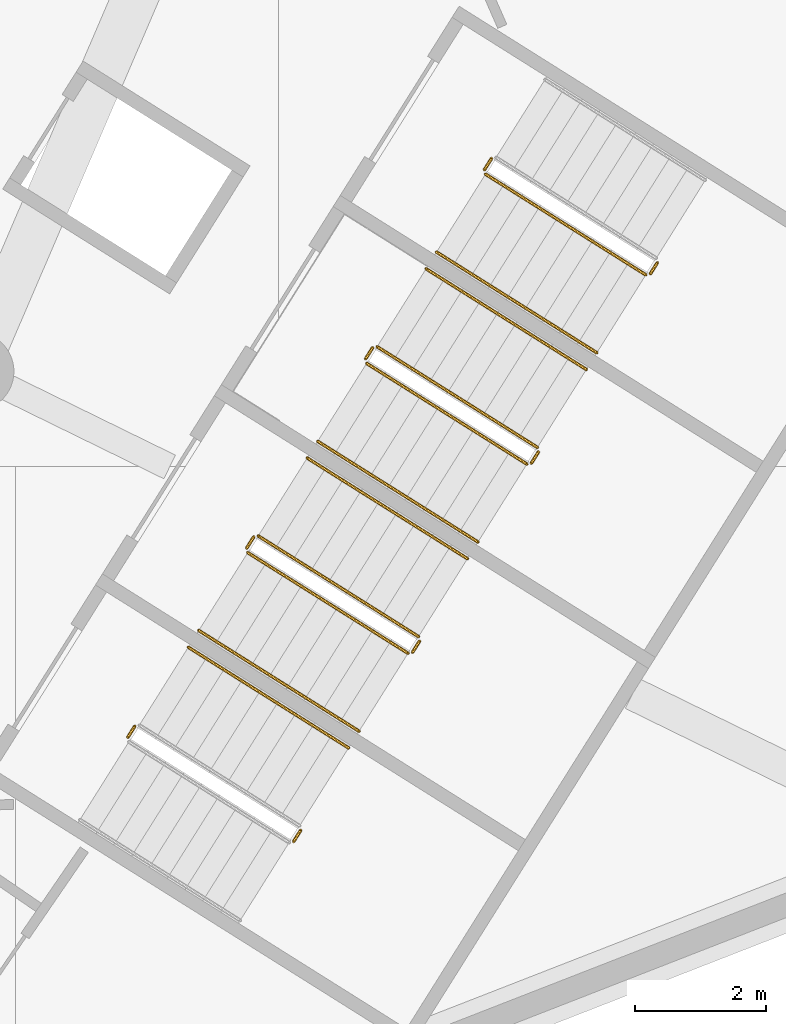
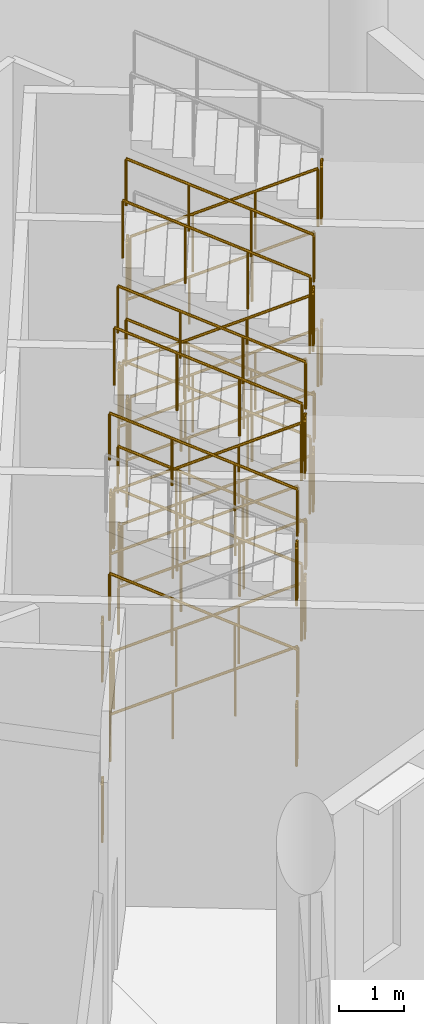
# One storey, part 222 of 249: 38 railings.
"""IFC4 building model written with IfcOpenShell, lengths in metres."""

from ifc_helpers import new_model, si_unit, direction, frame, origin, origin_2d, place, context, subcontext, project, spatial, circle, extrude, material, type_object, element, save


model = new_model("IFC4")

# Units and contexts
model_context = context("Model", 3, precision=1e-05, world=origin(), true_north=direction((0.0, 1.0)))
body_context = subcontext(model_context, "Body", "Model", "MODEL_VIEW")
ifc_project = project(units=[si_unit("LENGTHUNIT", "METRE"), si_unit("AREAUNIT", "SQUARE_METRE"), si_unit("VOLUMEUNIT", "CUBIC_METRE"), si_unit("PLANEANGLEUNIT", "RADIAN"), si_unit("MASSUNIT", "GRAM", prefix="KILO")], contexts=[model_context])

# Site, building, storey
site_placement = place(None, origin())
site = spatial("IfcSite", under=ifc_project, at=site_placement, CompositionType="ELEMENT")
building_placement = place(site_placement, origin())
building = spatial("IfcBuilding", under=site, at=building_placement, Name="Meseta Stadium", CompositionType="ELEMENT")
storey_placement = place(building_placement, frame((0.0, 0.0, 12.0)))
storey = spatial("IfcBuildingStorey", under=building, at=storey_placement, Name="L02", CompositionType="ELEMENT", Elevation=12.0)

# Railings
ifc_material_1 = material(Name="Steel S355", Category="steel")
railing_type_1 = type_object("IfcRailingType", Name="Stair guard 1100", PredefinedType="GUARDRAIL", material=ifc_material_1)
railing_1_placement = place(storey_placement, frame((83.054931640625, -79.42431640625, 1.5)))
element("IfcRailing", 1, at=railing_1_placement, inside=storey, type_object=railing_type_1, Name="ST109 L02 guard 2", PredefinedType="GUARDRAIL", context=body_context, shape_type="SweptSolid", body=[
    extrude(circle(Radius=0.02392578125, at=origin_2d()), frame((0.0, 0.0, 1.076171875), z_axis=(0.532521690573, 0.846416356806, 0.0), x_axis=(-0.846416356806, 0.532521690573, 0.0)), (0.0, 0.0, 1.0), 0.199951171875),
    extrude(circle(Radius=0.02099609375, at=origin_2d()), origin(), (0.0, 0.0, 1.0), 1.052001953125),
    extrude(circle(Radius=0.02099609375, at=origin_2d()), frame((0.1064453125, 0.169189453125, 0.0)), (0.0, 0.0, 1.0), 1.052001953125),
])
railing_2_placement = place(storey_placement, frame((80.53173828125, -77.8388671875, 3.0)))
element("IfcRailing", 2, at=railing_2_placement, inside=storey, type_object=railing_type_1, Name="ST109 L02 guard 4", PredefinedType="GUARDRAIL", context=body_context, shape_type="SweptSolid", body=[
    extrude(circle(Radius=0.02392578125, at=origin_2d()), frame((0.0, 0.0, 1.076171875), z_axis=(0.531645814745, 0.846966780732, 0.0), x_axis=(-0.846966780732, 0.531645814745, 0.0)), (0.0, 0.0, 1.0), 0.19970703125),
    extrude(circle(Radius=0.02099609375, at=origin_2d()), origin(), (0.0, 0.0, 1.0), 1.052001953125),
    extrude(circle(Radius=0.02099609375, at=origin_2d()), frame((0.106201171875, 0.169189453125, 0.0)), (0.0, 0.0, 1.0), 1.052001953125),
])
railing_3_placement = place(storey_placement, frame((83.054931640625, -79.42431640625, 4.5)))
element("IfcRailing", 3, at=railing_3_placement, inside=storey, type_object=railing_type_1, Name="ST109 L02 guard 6", PredefinedType="GUARDRAIL", context=body_context, shape_type="SweptSolid", body=[
    extrude(circle(Radius=0.02392578125, at=origin_2d()), frame((0.0, 0.0, 1.076171875), z_axis=(0.532521690573, 0.846416356806, 0.0), x_axis=(-0.846416356806, 0.532521690573, 0.0)), (0.0, 0.0, 1.0), 0.199951171875),
    extrude(circle(Radius=0.02099609375, at=origin_2d()), origin(), (0.0, 0.0, 1.0), 1.052001953125),
    extrude(circle(Radius=0.02099609375, at=origin_2d()), frame((0.1064453125, 0.169189453125, 0.0)), (0.0, 0.0, 1.0), 1.052001953125),
])
railing_4_placement = place(storey_placement, frame((80.53173828125, -77.8388671875, 0.0)))
element("IfcRailing", 4, at=railing_4_placement, inside=storey, type_object=railing_type_1, Name="ST109 L02 guard 8", PredefinedType="GUARDRAIL", context=body_context, shape_type="SweptSolid", body=[
    extrude(circle(Radius=0.02392578125, at=origin_2d()), frame((0.0, 0.0, 1.076171875), z_axis=(0.531645814745, 0.846966780732, 0.0), x_axis=(-0.846966780732, 0.531645814745, 0.0)), (0.0, 0.0, 1.0), 0.19970703125),
    extrude(circle(Radius=0.02099609375, at=origin_2d()), origin(), (0.0, 0.0, 1.0), 1.052001953125),
    extrude(circle(Radius=0.02099609375, at=origin_2d()), frame((0.106201171875, 0.169189453125, 0.0)), (0.0, 0.0, 1.0), 1.052001953125),
])
railing_5_placement = place(storey_placement, frame((82.356201171875, -75.029052734375, 0.14990234375)))
element("IfcRailing", 5, at=railing_5_placement, inside=storey, type_object=railing_type_1, Name="ST110 L02 guard 1", PredefinedType="GUARDRAIL", context=body_context, shape_type="SweptSolid", body=[
    extrude(circle(Radius=0.02392578125, at=origin_2d()), frame((0.0, 0.0, 1.076171875), z_axis=(0.766687087345, -0.481702688975, 0.424444848635), x_axis=(0.532001404082, 0.84674347122, 0.0)), (0.0, 0.0, 1.0), 3.180908203125),
    extrude(circle(Radius=0.02099609375, at=origin_2d()), origin(), (0.0, 0.0, 1.0), 1.052001953125),
    extrude(circle(Radius=0.02099609375, at=origin_2d()), frame((0.81298828125, -0.5107421875, 0.449951171875)), (0.0, 0.0, 1.0), 1.052001953125),
    extrude(circle(Radius=0.02099609375, at=origin_2d()), frame((1.625732421875, -1.021484375, 0.900146484375)), (0.0, 0.0, 1.0), 1.052001953125),
    extrude(circle(Radius=0.02099609375, at=origin_2d()), frame((2.438720703125, -1.5322265625, 1.35009765625)), (0.0, 0.0, 1.0), 1.052001953125),
])
railing_6_placement = place(storey_placement, frame((84.86376953125, -76.545654296875, 1.5)))
element("IfcRailing", 6, at=railing_6_placement, inside=storey, type_object=railing_type_1, Name="ST110 L02 guard 2", PredefinedType="GUARDRAIL", context=body_context, shape_type="SweptSolid", body=[
    extrude(circle(Radius=0.02392578125, at=origin_2d()), frame((0.0, 0.0, 1.076171875), z_axis=(0.531971628011, 0.846762178531, 0.0), x_axis=(-0.846762178531, 0.531971628011, 0.0)), (0.0, 0.0, 1.0), 0.2001953125),
    extrude(circle(Radius=0.02099609375, at=origin_2d()), origin(), (0.0, 0.0, 1.0), 1.052001953125),
    extrude(circle(Radius=0.02099609375, at=origin_2d()), frame((0.1064453125, 0.16943359375, 0.0)), (0.0, 0.0, 1.0), 1.052001953125),
])
railing_7_placement = place(storey_placement, frame((84.954345703125, -76.307373046875, 1.64990234375)))
element("IfcRailing", 7, at=railing_7_placement, inside=storey, type_object=railing_type_1, Name="ST110 L02 guard 3", PredefinedType="GUARDRAIL", context=body_context, shape_type="SweptSolid", body=[
    extrude(circle(Radius=0.02392578125, at=origin_2d()), frame((0.0, 0.0, 1.076171875), z_axis=(-0.766655447606, 0.481731036161, 0.424469826318), x_axis=(-0.53203959143, -0.846719477248, 0.0)), (0.0, 0.0, 1.0), 3.1806640625),
    extrude(circle(Radius=0.02099609375, at=origin_2d()), origin(), (0.0, 0.0, 1.0), 1.052001953125),
    extrude(circle(Radius=0.02099609375, at=origin_2d()), frame((-0.812744140625, 0.5107421875, 0.449951171875)), (0.0, 0.0, 1.0), 1.052001953125),
    extrude(circle(Radius=0.02099609375, at=origin_2d()), frame((-1.625732421875, 1.021484375, 0.900146484375)), (0.0, 0.0, 1.0), 1.052001953125),
    extrude(circle(Radius=0.02099609375, at=origin_2d()), frame((-2.4384765625, 1.5322265625, 1.35009765625)), (0.0, 0.0, 1.0), 1.052001953125),
])
railing_8_placement = place(storey_placement, frame((82.340576171875, -74.960205078125, 3.0)))
element("IfcRailing", 8, at=railing_8_placement, inside=storey, type_object=railing_type_1, Name="ST110 L02 guard 4", PredefinedType="GUARDRAIL", context=body_context, shape_type="SweptSolid", body=[
    extrude(circle(Radius=0.02392578125, at=origin_2d()), frame((0.0, 0.0, 1.076171875), z_axis=(0.531971628011, 0.846762178531, 0.0), x_axis=(-0.846762178531, 0.531971628011, 0.0)), (0.0, 0.0, 1.0), 0.2001953125),
    extrude(circle(Radius=0.02099609375, at=origin_2d()), origin(), (0.0, 0.0, 1.0), 1.052001953125),
    extrude(circle(Radius=0.02099609375, at=origin_2d()), frame((0.1064453125, 0.16943359375, 0.0)), (0.0, 0.0, 1.0), 1.052001953125),
])
railing_9_placement = place(storey_placement, frame((82.356201171875, -75.029052734375, 3.14990234375)))
element("IfcRailing", 9, at=railing_9_placement, inside=storey, type_object=railing_type_1, Name="ST110 L02 guard 5", PredefinedType="GUARDRAIL", context=body_context, shape_type="SweptSolid", body=[
    extrude(circle(Radius=0.02392578125, at=origin_2d()), frame((0.0, 0.0, 1.076171875), z_axis=(0.766687087345, -0.481702688975, 0.424444848635), x_axis=(0.532001404082, 0.84674347122, 0.0)), (0.0, 0.0, 1.0), 3.180908203125),
    extrude(circle(Radius=0.02099609375, at=origin_2d()), origin(), (0.0, 0.0, 1.0), 1.052001953125),
    extrude(circle(Radius=0.02099609375, at=origin_2d()), frame((0.81298828125, -0.5107421875, 0.449951171875)), (0.0, 0.0, 1.0), 1.052001953125),
    extrude(circle(Radius=0.02099609375, at=origin_2d()), frame((1.625732421875, -1.021484375, 0.900146484375)), (0.0, 0.0, 1.0), 1.052001953125),
    extrude(circle(Radius=0.02099609375, at=origin_2d()), frame((2.438720703125, -1.5322265625, 1.35009765625)), (0.0, 0.0, 1.0), 1.052001953125),
])
railing_10_placement = place(storey_placement, frame((84.86376953125, -76.545654296875, 4.5)))
element("IfcRailing", 10, at=railing_10_placement, inside=storey, type_object=railing_type_1, Name="ST110 L02 guard 6", PredefinedType="GUARDRAIL", context=body_context, shape_type="SweptSolid", body=[
    extrude(circle(Radius=0.02392578125, at=origin_2d()), frame((0.0, 0.0, 1.076171875), z_axis=(0.531971628011, 0.846762178531, 0.0), x_axis=(-0.846762178531, 0.531971628011, 0.0)), (0.0, 0.0, 1.0), 0.2001953125),
    extrude(circle(Radius=0.02099609375, at=origin_2d()), origin(), (0.0, 0.0, 1.0), 1.052001953125),
    extrude(circle(Radius=0.02099609375, at=origin_2d()), frame((0.1064453125, 0.16943359375, 0.0)), (0.0, 0.0, 1.0), 1.052001953125),
])
railing_11_placement = place(storey_placement, frame((84.954345703125, -76.307373046875, 4.64990234375)))
element("IfcRailing", 11, at=railing_11_placement, inside=storey, type_object=railing_type_1, Name="ST110 L02 guard 7", PredefinedType="GUARDRAIL", context=body_context, shape_type="SweptSolid", body=[
    extrude(circle(Radius=0.02392578125, at=origin_2d()), frame((0.0, 0.0, 1.076171875), z_axis=(-0.766655447606, 0.481731036161, 0.424469826318), x_axis=(-0.53203959143, -0.846719477248, 0.0)), (0.0, 0.0, 1.0), 3.1806640625),
    extrude(circle(Radius=0.02099609375, at=origin_2d()), origin(), (0.0, 0.0, 1.0), 1.052001953125),
    extrude(circle(Radius=0.02099609375, at=origin_2d()), frame((-0.812744140625, 0.5107421875, 0.449951171875)), (0.0, 0.0, 1.0), 1.052001953125),
    extrude(circle(Radius=0.02099609375, at=origin_2d()), frame((-1.625732421875, 1.021484375, 0.900146484375)), (0.0, 0.0, 1.0), 1.052001953125),
    extrude(circle(Radius=0.02099609375, at=origin_2d()), frame((-2.4384765625, 1.5322265625, 1.35009765625)), (0.0, 0.0, 1.0), 1.052001953125),
])
railing_12_placement = place(storey_placement, frame((82.340576171875, -74.960205078125, 0.0)))
element("IfcRailing", 12, at=railing_12_placement, inside=storey, type_object=railing_type_1, Name="ST110 L02 guard 8", PredefinedType="GUARDRAIL", context=body_context, shape_type="SweptSolid", body=[
    extrude(circle(Radius=0.02392578125, at=origin_2d()), frame((0.0, 0.0, 1.076171875), z_axis=(0.531971628011, 0.846762178531, 0.0), x_axis=(-0.846762178531, 0.531971628011, 0.0)), (0.0, 0.0, 1.0), 0.2001953125),
    extrude(circle(Radius=0.02099609375, at=origin_2d()), origin(), (0.0, 0.0, 1.0), 1.052001953125),
    extrude(circle(Radius=0.02099609375, at=origin_2d()), frame((0.1064453125, 0.16943359375, 0.0)), (0.0, 0.0, 1.0), 1.052001953125),
])
railing_13_placement = place(storey_placement, frame((84.165283203125, -72.150146484375, 0.14990234375)))
element("IfcRailing", 13, at=railing_13_placement, inside=storey, type_object=railing_type_1, Name="ST111 L02 guard 1", PredefinedType="GUARDRAIL", context=body_context, shape_type="SweptSolid", body=[
    extrude(circle(Radius=0.02392578125, at=origin_2d()), frame((0.0, 0.0, 1.076171875), z_axis=(0.766655447606, -0.481731036161, 0.424469826318), x_axis=(0.53203959143, 0.846719477248, 0.0)), (0.0, 0.0, 1.0), 3.1806640625),
    extrude(circle(Radius=0.02099609375, at=origin_2d()), origin(), (0.0, 0.0, 1.0), 1.052001953125),
    extrude(circle(Radius=0.02099609375, at=origin_2d()), frame((0.812744140625, -0.5107421875, 0.449951171875)), (0.0, 0.0, 1.0), 1.052001953125),
    extrude(circle(Radius=0.02099609375, at=origin_2d()), frame((1.625732421875, -1.021484375, 0.900146484375)), (0.0, 0.0, 1.0), 1.052001953125),
    extrude(circle(Radius=0.02099609375, at=origin_2d()), frame((2.4384765625, -1.5322265625, 1.35009765625)), (0.0, 0.0, 1.0), 1.052001953125),
])
railing_14_placement = place(storey_placement, frame((86.672607421875, -73.666748046875, 1.5)))
element("IfcRailing", 14, at=railing_14_placement, inside=storey, type_object=railing_type_1, Name="ST111 L02 guard 2", PredefinedType="GUARDRAIL", context=body_context, shape_type="SweptSolid", body=[
    extrude(circle(Radius=0.02392578125, at=origin_2d()), frame((0.0, 0.0, 1.076171875), z_axis=(0.531971628011, 0.846762178531, 0.0), x_axis=(-0.846762178531, 0.531971628011, 0.0)), (0.0, 0.0, 1.0), 0.2001953125),
    extrude(circle(Radius=0.02099609375, at=origin_2d()), origin(), (0.0, 0.0, 1.0), 1.052001953125),
    extrude(circle(Radius=0.02099609375, at=origin_2d()), frame((0.1064453125, 0.16943359375, 0.0)), (0.0, 0.0, 1.0), 1.052001953125),
])
railing_15_placement = place(storey_placement, frame((86.763427734375, -73.428466796875, 1.64990234375)))
element("IfcRailing", 15, at=railing_15_placement, inside=storey, type_object=railing_type_1, Name="ST111 L02 guard 3", PredefinedType="GUARDRAIL", context=body_context, shape_type="SweptSolid", body=[
    extrude(circle(Radius=0.02392578125, at=origin_2d()), frame((0.0, 0.0, 1.076171875), z_axis=(-0.766687087345, 0.481702688975, 0.424444848635), x_axis=(-0.532001404082, -0.84674347122, 0.0)), (0.0, 0.0, 1.0), 3.180908203125),
    extrude(circle(Radius=0.02099609375, at=origin_2d()), origin(), (0.0, 0.0, 1.0), 1.052001953125),
    extrude(circle(Radius=0.02099609375, at=origin_2d()), frame((-0.81298828125, 0.5107421875, 0.449951171875)), (0.0, 0.0, 1.0), 1.052001953125),
    extrude(circle(Radius=0.02099609375, at=origin_2d()), frame((-1.625732421875, 1.021484375, 0.900146484375)), (0.0, 0.0, 1.0), 1.052001953125),
    extrude(circle(Radius=0.02099609375, at=origin_2d()), frame((-2.438720703125, 1.5322265625, 1.35009765625)), (0.0, 0.0, 1.0), 1.052001953125),
])
railing_16_placement = place(storey_placement, frame((84.1494140625, -72.081298828125, 3.0)))
element("IfcRailing", 16, at=railing_16_placement, inside=storey, type_object=railing_type_1, Name="ST111 L02 guard 4", PredefinedType="GUARDRAIL", context=body_context, shape_type="SweptSolid", body=[
    extrude(circle(Radius=0.02392578125, at=origin_2d()), frame((0.0, 0.0, 1.076171875), z_axis=(0.531971628011, 0.846762178531, 0.0), x_axis=(-0.846762178531, 0.531971628011, 0.0)), (0.0, 0.0, 1.0), 0.2001953125),
    extrude(circle(Radius=0.02099609375, at=origin_2d()), origin(), (0.0, 0.0, 1.0), 1.052001953125),
    extrude(circle(Radius=0.02099609375, at=origin_2d()), frame((0.1064453125, 0.16943359375, 0.0)), (0.0, 0.0, 1.0), 1.052001953125),
])
railing_17_placement = place(storey_placement, frame((84.165283203125, -72.150146484375, 3.14990234375)))
element("IfcRailing", 17, at=railing_17_placement, inside=storey, type_object=railing_type_1, Name="ST111 L02 guard 5", PredefinedType="GUARDRAIL", context=body_context, shape_type="SweptSolid", body=[
    extrude(circle(Radius=0.02392578125, at=origin_2d()), frame((0.0, 0.0, 1.076171875), z_axis=(0.766655447606, -0.481731036161, 0.424469826318), x_axis=(0.53203959143, 0.846719477248, 0.0)), (0.0, 0.0, 1.0), 3.1806640625),
    extrude(circle(Radius=0.02099609375, at=origin_2d()), origin(), (0.0, 0.0, 1.0), 1.052001953125),
    extrude(circle(Radius=0.02099609375, at=origin_2d()), frame((0.812744140625, -0.5107421875, 0.449951171875)), (0.0, 0.0, 1.0), 1.052001953125),
    extrude(circle(Radius=0.02099609375, at=origin_2d()), frame((1.625732421875, -1.021484375, 0.900146484375)), (0.0, 0.0, 1.0), 1.052001953125),
    extrude(circle(Radius=0.02099609375, at=origin_2d()), frame((2.4384765625, -1.5322265625, 1.35009765625)), (0.0, 0.0, 1.0), 1.052001953125),
])
railing_18_placement = place(storey_placement, frame((86.672607421875, -73.666748046875, 4.5)))
element("IfcRailing", 18, at=railing_18_placement, inside=storey, type_object=railing_type_1, Name="ST111 L02 guard 6", PredefinedType="GUARDRAIL", context=body_context, shape_type="SweptSolid", body=[
    extrude(circle(Radius=0.02392578125, at=origin_2d()), frame((0.0, 0.0, 1.076171875), z_axis=(0.531971628011, 0.846762178531, 0.0), x_axis=(-0.846762178531, 0.531971628011, 0.0)), (0.0, 0.0, 1.0), 0.2001953125),
    extrude(circle(Radius=0.02099609375, at=origin_2d()), origin(), (0.0, 0.0, 1.0), 1.052001953125),
    extrude(circle(Radius=0.02099609375, at=origin_2d()), frame((0.1064453125, 0.16943359375, 0.0)), (0.0, 0.0, 1.0), 1.052001953125),
])
railing_19_placement = place(storey_placement, frame((86.763427734375, -73.428466796875, 4.64990234375)))
element("IfcRailing", 19, at=railing_19_placement, inside=storey, type_object=railing_type_1, Name="ST111 L02 guard 7", PredefinedType="GUARDRAIL", context=body_context, shape_type="SweptSolid", body=[
    extrude(circle(Radius=0.02392578125, at=origin_2d()), frame((0.0, 0.0, 1.076171875), z_axis=(-0.766687087345, 0.481702688975, 0.424444848635), x_axis=(-0.532001404082, -0.84674347122, 0.0)), (0.0, 0.0, 1.0), 3.180908203125),
    extrude(circle(Radius=0.02099609375, at=origin_2d()), origin(), (0.0, 0.0, 1.0), 1.052001953125),
    extrude(circle(Radius=0.02099609375, at=origin_2d()), frame((-0.81298828125, 0.5107421875, 0.449951171875)), (0.0, 0.0, 1.0), 1.052001953125),
    extrude(circle(Radius=0.02099609375, at=origin_2d()), frame((-1.625732421875, 1.021484375, 0.900146484375)), (0.0, 0.0, 1.0), 1.052001953125),
    extrude(circle(Radius=0.02099609375, at=origin_2d()), frame((-2.438720703125, 1.5322265625, 1.35009765625)), (0.0, 0.0, 1.0), 1.052001953125),
])
railing_20_placement = place(storey_placement, frame((84.1494140625, -72.081298828125, 0.0)))
element("IfcRailing", 20, at=railing_20_placement, inside=storey, type_object=railing_type_1, Name="ST111 L02 guard 8", PredefinedType="GUARDRAIL", context=body_context, shape_type="SweptSolid", body=[
    extrude(circle(Radius=0.02392578125, at=origin_2d()), frame((0.0, 0.0, 1.076171875), z_axis=(0.531971628011, 0.846762178531, 0.0), x_axis=(-0.846762178531, 0.531971628011, 0.0)), (0.0, 0.0, 1.0), 0.2001953125),
    extrude(circle(Radius=0.02099609375, at=origin_2d()), origin(), (0.0, 0.0, 1.0), 1.052001953125),
    extrude(circle(Radius=0.02099609375, at=origin_2d()), frame((0.1064453125, 0.16943359375, 0.0)), (0.0, 0.0, 1.0), 1.052001953125),
])
railing_21_placement = place(storey_placement, frame((85.97412109375, -69.271240234375, 0.14990234375)))
element("IfcRailing", 21, at=railing_21_placement, inside=storey, type_object=railing_type_1, Name="ST112 L02 guard 1", PredefinedType="GUARDRAIL", context=body_context, shape_type="SweptSolid", body=[
    extrude(circle(Radius=0.02392578125, at=origin_2d()), frame((0.0, 0.0, 1.076171875), z_axis=(0.766655447606, -0.481731036161, 0.424469826318), x_axis=(0.53203959143, 0.846719477248, 0.0)), (0.0, 0.0, 1.0), 3.1806640625),
    extrude(circle(Radius=0.02099609375, at=origin_2d()), origin(), (0.0, 0.0, 1.0), 1.052001953125),
    extrude(circle(Radius=0.02099609375, at=origin_2d()), frame((0.812744140625, -0.5107421875, 0.449951171875)), (0.0, 0.0, 1.0), 1.052001953125),
    extrude(circle(Radius=0.02099609375, at=origin_2d()), frame((1.625732421875, -1.021484375, 0.900146484375)), (0.0, 0.0, 1.0), 1.052001953125),
    extrude(circle(Radius=0.02099609375, at=origin_2d()), frame((2.4384765625, -1.5322265625, 1.35009765625)), (0.0, 0.0, 1.0), 1.052001953125),
])
railing_22_placement = place(storey_placement, frame((88.481689453125, -70.787841796875, 1.5)))
element("IfcRailing", 22, at=railing_22_placement, inside=storey, type_object=railing_type_1, Name="ST112 L02 guard 2", PredefinedType="GUARDRAIL", context=body_context, shape_type="SweptSolid", body=[
    extrude(circle(Radius=0.02392578125, at=origin_2d()), frame((0.0, 0.0, 1.076171875), z_axis=(0.531095943551, 0.847311689252, 0.0), x_axis=(-0.847311689252, 0.531095943551, 0.0)), (0.0, 0.0, 1.0), 0.199951171875),
    extrude(circle(Radius=0.02099609375, at=origin_2d()), origin(), (0.0, 0.0, 1.0), 1.052001953125),
    extrude(circle(Radius=0.02099609375, at=origin_2d()), frame((0.106201171875, 0.16943359375, 0.0)), (0.0, 0.0, 1.0), 1.052001953125),
])
railing_23_placement = place(storey_placement, frame((85.958251953125, -69.202392578125, 3.0)))
element("IfcRailing", 23, at=railing_23_placement, inside=storey, type_object=railing_type_1, Name="ST112 L02 guard 4", PredefinedType="GUARDRAIL", context=body_context, shape_type="SweptSolid", body=[
    extrude(circle(Radius=0.02392578125, at=origin_2d()), frame((0.0, 0.0, 1.076171875), z_axis=(0.531971628011, 0.846762178531, 0.0), x_axis=(-0.846762178531, 0.531971628011, 0.0)), (0.0, 0.0, 1.0), 0.2001953125),
    extrude(circle(Radius=0.02099609375, at=origin_2d()), origin(), (0.0, 0.0, 1.0), 1.052001953125),
    extrude(circle(Radius=0.02099609375, at=origin_2d()), frame((0.1064453125, 0.16943359375, 0.0)), (0.0, 0.0, 1.0), 1.052001953125),
])
railing_24_placement = place(storey_placement, frame((85.97412109375, -69.271240234375, 3.14990234375)))
element("IfcRailing", 24, at=railing_24_placement, inside=storey, type_object=railing_type_1, Name="ST112 L02 guard 5", PredefinedType="GUARDRAIL", context=body_context, shape_type="SweptSolid", body=[
    extrude(circle(Radius=0.02392578125, at=origin_2d()), frame((0.0, 0.0, 1.076171875), z_axis=(0.766655447606, -0.481731036161, 0.424469826318), x_axis=(0.53203959143, 0.846719477248, 0.0)), (0.0, 0.0, 1.0), 3.1806640625),
    extrude(circle(Radius=0.02099609375, at=origin_2d()), origin(), (0.0, 0.0, 1.0), 1.052001953125),
    extrude(circle(Radius=0.02099609375, at=origin_2d()), frame((0.812744140625, -0.5107421875, 0.449951171875)), (0.0, 0.0, 1.0), 1.052001953125),
    extrude(circle(Radius=0.02099609375, at=origin_2d()), frame((1.625732421875, -1.021484375, 0.900146484375)), (0.0, 0.0, 1.0), 1.052001953125),
    extrude(circle(Radius=0.02099609375, at=origin_2d()), frame((2.4384765625, -1.5322265625, 1.35009765625)), (0.0, 0.0, 1.0), 1.052001953125),
])
railing_25_placement = place(storey_placement, frame((88.481689453125, -70.787841796875, 4.5)))
element("IfcRailing", 25, at=railing_25_placement, inside=storey, type_object=railing_type_1, Name="ST112 L02 guard 6", PredefinedType="GUARDRAIL", context=body_context, shape_type="SweptSolid", body=[
    extrude(circle(Radius=0.02392578125, at=origin_2d()), frame((0.0, 0.0, 1.076171875), z_axis=(0.531095943551, 0.847311689252, 0.0), x_axis=(-0.847311689252, 0.531095943551, 0.0)), (0.0, 0.0, 1.0), 0.199951171875),
    extrude(circle(Radius=0.02099609375, at=origin_2d()), origin(), (0.0, 0.0, 1.0), 1.052001953125),
    extrude(circle(Radius=0.02099609375, at=origin_2d()), frame((0.106201171875, 0.16943359375, 0.0)), (0.0, 0.0, 1.0), 1.052001953125),
])
railing_26_placement = place(storey_placement, frame((85.958251953125, -69.202392578125, 0.0)))
element("IfcRailing", 26, at=railing_26_placement, inside=storey, type_object=railing_type_1, Name="ST112 L02 guard 8", PredefinedType="GUARDRAIL", context=body_context, shape_type="SweptSolid", body=[
    extrude(circle(Radius=0.02392578125, at=origin_2d()), frame((0.0, 0.0, 1.076171875), z_axis=(0.531971628011, 0.846762178531, 0.0), x_axis=(-0.846762178531, 0.531971628011, 0.0)), (0.0, 0.0, 1.0), 0.2001953125),
    extrude(circle(Radius=0.02099609375, at=origin_2d()), origin(), (0.0, 0.0, 1.0), 1.052001953125),
    extrude(circle(Radius=0.02099609375, at=origin_2d()), frame((0.1064453125, 0.16943359375, 0.0)), (0.0, 0.0, 1.0), 1.052001953125),
])
ifc_material_2 = material(Name="Steel S355", Category="steel")
railing_type_2 = type_object("IfcRailingType", Name="Stair handrail 900", PredefinedType="HANDRAIL", material=ifc_material_2)
for number, where, name in (
    (27, (83.890380859375, -78.000732421875, 1.64990234375), "ST109 L02 handrail 2"),
    (28, (83.890380859375, -78.000732421875, 4.64990234375), "ST109 L02 handrail 4"),
):
    element("IfcRailing", number, at=place(storey_placement, frame(where)), inside=storey, type_object=railing_type_2, Name=name, PredefinedType="HANDRAIL", context=body_context, shape_type="SweptSolid", body=[
        extrude(circle(Radius=0.02392578125, at=origin_2d()), frame((0.0, 0.0, 0.8759765625), z_axis=(-0.766655447606, 0.481731036161, 0.424469826318), x_axis=(-0.53203959143, -0.846719477248, 0.0)), (0.0, 0.0, 1.0), 3.1806640625),
        extrude(circle(Radius=0.02099609375, at=origin_2d()), origin(), (0.0, 0.0, 1.0), 0.851806640625),
        extrude(circle(Radius=0.02099609375, at=origin_2d()), frame((-0.812744140625, 0.5107421875, 0.449951171875)), (0.0, 0.0, 1.0), 0.851806640625),
        extrude(circle(Radius=0.02099609375, at=origin_2d()), frame((-1.625732421875, 1.021484375, 0.900146484375)), (0.0, 0.0, 1.0), 0.851806640625),
        extrude(circle(Radius=0.02099609375, at=origin_2d()), frame((-2.4384765625, 1.5322265625, 1.35009765625)), (0.0, 0.0, 1.0), 0.851806640625),
    ])
railing_27_placement = place(storey_placement, frame((81.611328125, -76.21435546875, 0.14990234375)))
element("IfcRailing", 29, at=railing_27_placement, inside=storey, type_object=railing_type_2, Name="ST110 L02 handrail 1", PredefinedType="HANDRAIL", context=body_context, shape_type="SweptSolid", body=[
    extrude(circle(Radius=0.02392578125, at=origin_2d()), frame((0.0, 0.0, 0.8759765625), z_axis=(0.766658740556, -0.481761629239, 0.424429155599), x_axis=(0.532062176173, 0.846705285613, 0.0)), (0.0, 0.0, 1.0), 3.180908203125),
    extrude(circle(Radius=0.02099609375, at=origin_2d()), origin(), (0.0, 0.0, 1.0), 0.851806640625),
    extrude(circle(Radius=0.02099609375, at=origin_2d()), frame((0.81298828125, -0.5107421875, 0.449951171875)), (0.0, 0.0, 1.0), 0.851806640625),
    extrude(circle(Radius=0.02099609375, at=origin_2d()), frame((1.625732421875, -1.021728515625, 0.900146484375)), (0.0, 0.0, 1.0), 0.851806640625),
    extrude(circle(Radius=0.02099609375, at=origin_2d()), frame((2.438720703125, -1.532470703125, 1.35009765625)), (0.0, 0.0, 1.0), 0.851806640625),
])
railing_28_placement = place(storey_placement, frame((85.69921875, -75.121826171875, 1.64990234375)))
element("IfcRailing", 30, at=railing_28_placement, inside=storey, type_object=railing_type_2, Name="ST110 L02 handrail 2", PredefinedType="HANDRAIL", context=body_context, shape_type="SweptSolid", body=[
    extrude(circle(Radius=0.02392578125, at=origin_2d()), frame((0.0, 0.0, 0.8759765625), z_axis=(-0.766655447606, 0.481731036161, 0.424469826318), x_axis=(-0.53203959143, -0.846719477248, 0.0)), (0.0, 0.0, 1.0), 3.1806640625),
    extrude(circle(Radius=0.02099609375, at=origin_2d()), origin(), (0.0, 0.0, 1.0), 0.851806640625),
    extrude(circle(Radius=0.02099609375, at=origin_2d()), frame((-0.812744140625, 0.5107421875, 0.449951171875)), (0.0, 0.0, 1.0), 0.851806640625),
    extrude(circle(Radius=0.02099609375, at=origin_2d()), frame((-1.625732421875, 1.021484375, 0.900146484375)), (0.0, 0.0, 1.0), 0.851806640625),
    extrude(circle(Radius=0.02099609375, at=origin_2d()), frame((-2.4384765625, 1.5322265625, 1.35009765625)), (0.0, 0.0, 1.0), 0.851806640625),
])
railing_29_placement = place(storey_placement, frame((81.611328125, -76.21435546875, 3.14990234375)))
element("IfcRailing", 31, at=railing_29_placement, inside=storey, type_object=railing_type_2, Name="ST110 L02 handrail 3", PredefinedType="HANDRAIL", context=body_context, shape_type="SweptSolid", body=[
    extrude(circle(Radius=0.02392578125, at=origin_2d()), frame((0.0, 0.0, 0.8759765625), z_axis=(0.766658740556, -0.481761629239, 0.424429155599), x_axis=(0.532062176173, 0.846705285613, 0.0)), (0.0, 0.0, 1.0), 3.180908203125),
    extrude(circle(Radius=0.02099609375, at=origin_2d()), origin(), (0.0, 0.0, 1.0), 0.851806640625),
    extrude(circle(Radius=0.02099609375, at=origin_2d()), frame((0.81298828125, -0.5107421875, 0.449951171875)), (0.0, 0.0, 1.0), 0.851806640625),
    extrude(circle(Radius=0.02099609375, at=origin_2d()), frame((1.625732421875, -1.021728515625, 0.900146484375)), (0.0, 0.0, 1.0), 0.851806640625),
    extrude(circle(Radius=0.02099609375, at=origin_2d()), frame((2.438720703125, -1.532470703125, 1.35009765625)), (0.0, 0.0, 1.0), 0.851806640625),
])
railing_30_placement = place(storey_placement, frame((85.69921875, -75.121826171875, 4.64990234375)))
element("IfcRailing", 32, at=railing_30_placement, inside=storey, type_object=railing_type_2, Name="ST110 L02 handrail 4", PredefinedType="HANDRAIL", context=body_context, shape_type="SweptSolid", body=[
    extrude(circle(Radius=0.02392578125, at=origin_2d()), frame((0.0, 0.0, 0.8759765625), z_axis=(-0.766655447606, 0.481731036161, 0.424469826318), x_axis=(-0.53203959143, -0.846719477248, 0.0)), (0.0, 0.0, 1.0), 3.1806640625),
    extrude(circle(Radius=0.02099609375, at=origin_2d()), origin(), (0.0, 0.0, 1.0), 0.851806640625),
    extrude(circle(Radius=0.02099609375, at=origin_2d()), frame((-0.812744140625, 0.5107421875, 0.449951171875)), (0.0, 0.0, 1.0), 0.851806640625),
    extrude(circle(Radius=0.02099609375, at=origin_2d()), frame((-1.625732421875, 1.021484375, 0.900146484375)), (0.0, 0.0, 1.0), 0.851806640625),
    extrude(circle(Radius=0.02099609375, at=origin_2d()), frame((-2.4384765625, 1.5322265625, 1.35009765625)), (0.0, 0.0, 1.0), 0.851806640625),
])
railing_31_placement = place(storey_placement, frame((83.42041015625, -73.335693359375, 0.14990234375)))
element("IfcRailing", 33, at=railing_31_placement, inside=storey, type_object=railing_type_2, Name="ST111 L02 handrail 1", PredefinedType="HANDRAIL", context=body_context, shape_type="SweptSolid", body=[
    extrude(circle(Radius=0.02392578125, at=origin_2d()), frame((0.0, 0.0, 0.8759765625), z_axis=(0.766655447606, -0.481731036161, 0.424469826318), x_axis=(0.53203959143, 0.846719477248, 0.0)), (0.0, 0.0, 1.0), 3.1806640625),
    extrude(circle(Radius=0.02099609375, at=origin_2d()), origin(), (0.0, 0.0, 1.0), 0.851806640625),
    extrude(circle(Radius=0.02099609375, at=origin_2d()), frame((0.812744140625, -0.5107421875, 0.449951171875)), (0.0, 0.0, 1.0), 0.851806640625),
    extrude(circle(Radius=0.02099609375, at=origin_2d()), frame((1.625732421875, -1.021484375, 0.900146484375)), (0.0, 0.0, 1.0), 0.851806640625),
    extrude(circle(Radius=0.02099609375, at=origin_2d()), frame((2.4384765625, -1.5322265625, 1.35009765625)), (0.0, 0.0, 1.0), 0.851806640625),
])
railing_32_placement = place(storey_placement, frame((87.50830078125, -72.242919921875, 1.64990234375)))
element("IfcRailing", 34, at=railing_32_placement, inside=storey, type_object=railing_type_2, Name="ST111 L02 handrail 2", PredefinedType="HANDRAIL", context=body_context, shape_type="SweptSolid", body=[
    extrude(circle(Radius=0.02392578125, at=origin_2d()), frame((0.0, 0.0, 0.8759765625), z_axis=(-0.766687087345, 0.481702688975, 0.424444848635), x_axis=(-0.532001404082, -0.84674347122, 0.0)), (0.0, 0.0, 1.0), 3.180908203125),
    extrude(circle(Radius=0.02099609375, at=origin_2d()), origin(), (0.0, 0.0, 1.0), 0.851806640625),
    extrude(circle(Radius=0.02099609375, at=origin_2d()), frame((-0.81298828125, 0.5107421875, 0.449951171875)), (0.0, 0.0, 1.0), 0.851806640625),
    extrude(circle(Radius=0.02099609375, at=origin_2d()), frame((-1.625732421875, 1.021484375, 0.900146484375)), (0.0, 0.0, 1.0), 0.851806640625),
    extrude(circle(Radius=0.02099609375, at=origin_2d()), frame((-2.438720703125, 1.5322265625, 1.35009765625)), (0.0, 0.0, 1.0), 0.851806640625),
])
railing_33_placement = place(storey_placement, frame((83.42041015625, -73.335693359375, 3.14990234375)))
element("IfcRailing", 35, at=railing_33_placement, inside=storey, type_object=railing_type_2, Name="ST111 L02 handrail 3", PredefinedType="HANDRAIL", context=body_context, shape_type="SweptSolid", body=[
    extrude(circle(Radius=0.02392578125, at=origin_2d()), frame((0.0, 0.0, 0.8759765625), z_axis=(0.766655447606, -0.481731036161, 0.424469826318), x_axis=(0.53203959143, 0.846719477248, 0.0)), (0.0, 0.0, 1.0), 3.1806640625),
    extrude(circle(Radius=0.02099609375, at=origin_2d()), origin(), (0.0, 0.0, 1.0), 0.851806640625),
    extrude(circle(Radius=0.02099609375, at=origin_2d()), frame((0.812744140625, -0.5107421875, 0.449951171875)), (0.0, 0.0, 1.0), 0.851806640625),
    extrude(circle(Radius=0.02099609375, at=origin_2d()), frame((1.625732421875, -1.021484375, 0.900146484375)), (0.0, 0.0, 1.0), 0.851806640625),
    extrude(circle(Radius=0.02099609375, at=origin_2d()), frame((2.4384765625, -1.5322265625, 1.35009765625)), (0.0, 0.0, 1.0), 0.851806640625),
])
railing_34_placement = place(storey_placement, frame((87.50830078125, -72.242919921875, 4.64990234375)))
element("IfcRailing", 36, at=railing_34_placement, inside=storey, type_object=railing_type_2, Name="ST111 L02 handrail 4", PredefinedType="HANDRAIL", context=body_context, shape_type="SweptSolid", body=[
    extrude(circle(Radius=0.02392578125, at=origin_2d()), frame((0.0, 0.0, 0.8759765625), z_axis=(-0.766687087345, 0.481702688975, 0.424444848635), x_axis=(-0.532001404082, -0.84674347122, 0.0)), (0.0, 0.0, 1.0), 3.180908203125),
    extrude(circle(Radius=0.02099609375, at=origin_2d()), origin(), (0.0, 0.0, 1.0), 0.851806640625),
    extrude(circle(Radius=0.02099609375, at=origin_2d()), frame((-0.81298828125, 0.5107421875, 0.449951171875)), (0.0, 0.0, 1.0), 0.851806640625),
    extrude(circle(Radius=0.02099609375, at=origin_2d()), frame((-1.625732421875, 1.021484375, 0.900146484375)), (0.0, 0.0, 1.0), 0.851806640625),
    extrude(circle(Radius=0.02099609375, at=origin_2d()), frame((-2.438720703125, 1.5322265625, 1.35009765625)), (0.0, 0.0, 1.0), 0.851806640625),
])
for number, where, name in (
    (37, (85.229248046875, -70.456787109375, 0.14990234375), "ST112 L02 handrail 1"),
    (38, (85.229248046875, -70.456787109375, 3.14990234375), "ST112 L02 handrail 3"),
):
    element("IfcRailing", number, at=place(storey_placement, frame(where)), inside=storey, type_object=railing_type_2, Name=name, PredefinedType="HANDRAIL", context=body_context, shape_type="SweptSolid", body=[
        extrude(circle(Radius=0.02392578125, at=origin_2d()), frame((0.0, 0.0, 0.8759765625), z_axis=(0.766655447606, -0.481731036161, 0.424469826318), x_axis=(0.53203959143, 0.846719477248, 0.0)), (0.0, 0.0, 1.0), 3.1806640625),
        extrude(circle(Radius=0.02099609375, at=origin_2d()), origin(), (0.0, 0.0, 1.0), 0.851806640625),
        extrude(circle(Radius=0.02099609375, at=origin_2d()), frame((0.812744140625, -0.5107421875, 0.449951171875)), (0.0, 0.0, 1.0), 0.851806640625),
        extrude(circle(Radius=0.02099609375, at=origin_2d()), frame((1.625732421875, -1.021484375, 0.900146484375)), (0.0, 0.0, 1.0), 0.851806640625),
        extrude(circle(Radius=0.02099609375, at=origin_2d()), frame((2.4384765625, -1.5322265625, 1.35009765625)), (0.0, 0.0, 1.0), 0.851806640625),
    ])

save(model, "model.ifc")
